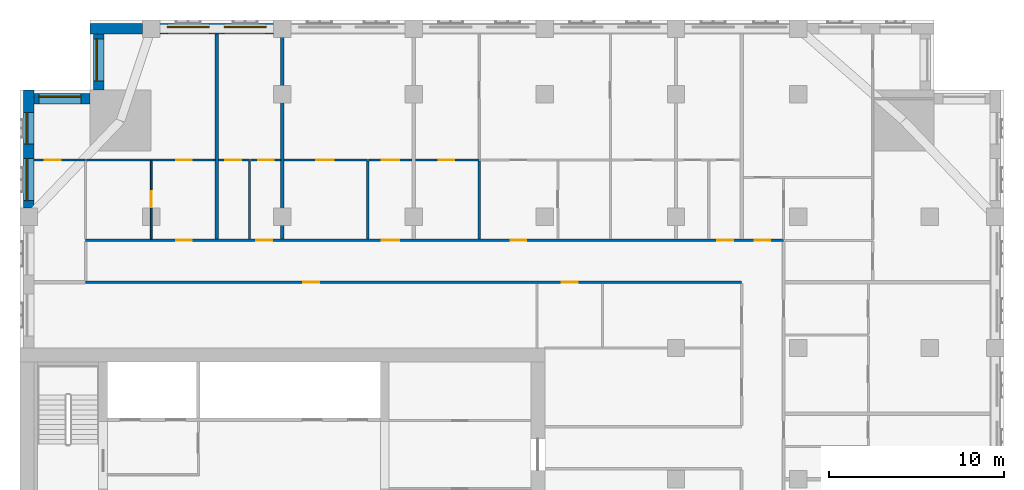
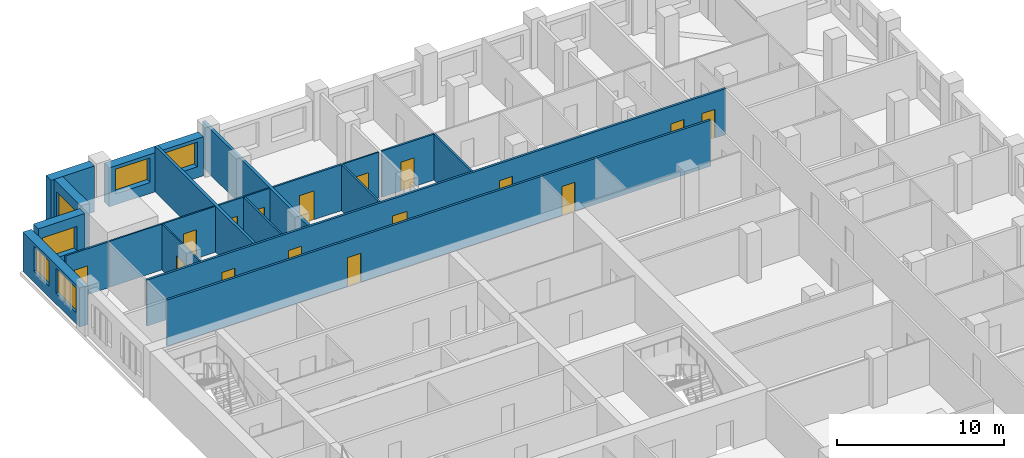
# One storey, part 9 of 14: 20 walls, 16 doors, 6 windows, 22 openings.
"""IFC4 building model written with IfcOpenShell, lengths in metres."""

from ifc_helpers import new_model, si_unit, direction, frame, frame_2d, origin, place, context, subcontext, project, spatial, rectangle, extrude, material, layer, layer_set, type_object, element, fill, save


model = new_model("IFC4")

# Units and contexts
model_context = context("Model", 3, precision=1e-05, world=origin(), true_north=direction((0.0, 1.0)))
body_context = subcontext(model_context, "Body", "Model", "MODEL_VIEW")
ifc_project = project(units=[si_unit("LENGTHUNIT", "METRE"), si_unit("AREAUNIT", "SQUARE_METRE"), si_unit("VOLUMEUNIT", "CUBIC_METRE"), si_unit("PLANEANGLEUNIT", "RADIAN"), si_unit("MASSUNIT", "GRAM", prefix="KILO")], contexts=[model_context])

# Site, building, storey
site_placement = place(None, origin())
site = spatial("IfcSite", under=ifc_project, at=site_placement, CompositionType="ELEMENT")
building_placement = place(site_placement, origin())
building = spatial("IfcBuilding", under=site, at=building_placement, Name="Tamorin Gate", CompositionType="ELEMENT")
storey_placement = place(building_placement, frame((0.0, 0.0, 141.0)))
storey = spatial("IfcBuildingStorey", under=building, at=storey_placement, Name="L34", CompositionType="ELEMENT", Elevation=141.0)

# Wall, openings, windows
ifc_material_1 = material(Name="Precast concrete C40/50", Category="concrete")
ifc_layer_1 = layer(ifc_material_1, 0.60009765625)
ifc_layer_set_1 = layer_set([ifc_layer_1], Name="Precast concrete C40/50")
wall_type_1 = type_object("IfcWallType", Name="Board-marked concrete facade panel 600", PredefinedType="SOLIDWALL", material=ifc_layer_set_1)
wall_1_placement = place(storey_placement, frame((44.5, 100.75, 0.0), z_axis=(0.0, 0.0, 1.0), x_axis=(-1.0, 0.0, 0.0)))
wall_1 = element("IfcWall", 1, at=wall_1_placement, inside=storey, type_object=wall_type_1, Name="Facade panel", PredefinedType="SOLIDWALL", context=body_context, shape_type="SweptSolid", body=[
    extrude(rectangle(XDim=6.5, YDim=0.60009765625, at=frame_2d((3.25, 0.0))), origin(), (0.0, 0.0, 1.0), 2.85009765625),
])
opening_1_placement = place(wall_1_placement, frame((3.675048828125, 0.0, 0.800048828125)))
opening_1 = element("IfcOpeningElement", 2, at=opening_1_placement, cuts=wall_1, Name="Opening WN1", PredefinedType="OPENING", context=body_context, shape_type="SweptSolid", body=[
    extrude(rectangle(XDim=2.39990234375, YDim=1.800048828125, at=frame_2d((1.199951171875, 0.89990234375))), frame((0.0, 0.31005859375, 0.0), z_axis=(0.0, -1.0, 0.0), x_axis=(1.0, 0.0, 0.0)), (0.0, 0.0, 1.0), 0.6201171875),
])
opening_2_placement = place(wall_1_placement, frame((0.425048828125, 0.0, 0.800048828125)))
opening_2 = element("IfcOpeningElement", 3, at=opening_2_placement, cuts=wall_1, Name="Opening WN1", PredefinedType="OPENING", context=body_context, shape_type="SweptSolid", body=[
    extrude(rectangle(XDim=2.39990234375, YDim=1.800048828125, at=frame_2d((1.199951171875, 0.89990234375))), frame((0.0, 0.31005859375, 0.0), z_axis=(0.0, -1.0, 0.0), x_axis=(1.0, 0.0, 0.0)), (0.0, 0.0, 1.0), 0.6201171875),
])
ifc_material_2 = material(Name="Clear glass in aluminium frame", Category="aluminium")
window_type_1 = type_object("IfcWindowType", Name="Deep-set window 2400x1800", PartitioningType="SINGLE_PANEL", PredefinedType="WINDOW", material=ifc_material_2)
window_1_placement = place(opening_1_placement, origin())
window_1 = element("IfcWindow", 4, at=window_1_placement, inside=storey, type_object=window_type_1, Name="Deep-set window", OverallHeight=1.800048828125, OverallWidth=2.39990234375, PartitioningType="SINGLE_PANEL", PredefinedType="WINDOW", context=body_context, shape_type="SweptSolid", body=[
    extrude(rectangle(XDim=2.39990234375, YDim=1.800048828125, at=frame_2d((1.199951171875, 0.89990234375))), frame((0.0, -0.070068359375, 0.0), z_axis=(0.0, -1.0, 0.0), x_axis=(1.0, 0.0, 0.0)), (0.0, 0.0, 1.0), 0.06005859375),
])
fill(opening_1, window_1)
window_2_placement = place(opening_2_placement, origin())
window_2 = element("IfcWindow", 5, at=window_2_placement, inside=storey, type_object=window_type_1, Name="Deep-set window", OverallHeight=1.800048828125, OverallWidth=2.39990234375, PartitioningType="SINGLE_PANEL", PredefinedType="WINDOW", context=body_context, shape_type="SweptSolid", body=[
    extrude(rectangle(XDim=2.39990234375, YDim=1.800048828125, at=frame_2d((1.199951171875, 0.89990234375))), frame((0.0, -0.070068359375, 0.0), z_axis=(0.0, -1.0, 0.0), x_axis=(1.0, 0.0, 0.0)), (0.0, 0.0, 1.0), 0.06005859375),
])
fill(opening_2, window_2)

# Wall
wall_2_placement = place(storey_placement, frame((37.0, 100.75, 0.0), z_axis=(0.0, 0.0, 1.0), x_axis=(-1.0, 0.0, 0.0)))
element("IfcWall", 6, at=wall_2_placement, inside=storey, type_object=wall_type_1, Name="Facade panel", PredefinedType="SOLIDWALL", context=body_context, shape_type="SweptSolid", body=[
    extrude(rectangle(XDim=3.0, YDim=0.60009765625, at=frame_2d((1.5, 0.0))), origin(), (0.0, 0.0, 1.0), 3.35009765625),
])

# Wall, opening, window
wall_3_placement = place(storey_placement, frame((34.5, 100.449951171875, 0.0), z_axis=(0.0, 0.0, 1.0), x_axis=(0.0, -1.0, 0.0)))
wall_3 = element("IfcWall", 7, at=wall_3_placement, inside=storey, type_object=wall_type_1, Name="Facade panel", PredefinedType="SOLIDWALL", context=body_context, shape_type="SweptSolid", body=[
    extrude(rectangle(XDim=3.199951171875, YDim=0.60009765625, at=frame_2d((1.60009765625, 0.0))), origin(), (0.0, 0.0, 1.0), 3.35009765625),
])
opening_3_placement = place(wall_3_placement, frame((0.27490234375, 0.0, 0.800048828125)))
opening_3 = element("IfcOpeningElement", 8, at=opening_3_placement, cuts=wall_3, Name="Opening WN1", PredefinedType="OPENING", context=body_context, shape_type="SweptSolid", body=[
    extrude(rectangle(XDim=2.39990234375, YDim=1.800048828125, at=frame_2d((1.199951171875, 0.89990234375))), frame((0.0, 0.31005859375, 0.0), z_axis=(0.0, -1.0, 0.0), x_axis=(1.0, 0.0, 0.0)), (0.0, 0.0, 1.0), 0.6201171875),
])
window_3_placement = place(opening_3_placement, origin())
window_3 = element("IfcWindow", 9, at=window_3_placement, inside=storey, type_object=window_type_1, Name="Deep-set window", OverallHeight=1.800048828125, OverallWidth=2.39990234375, PartitioningType="SINGLE_PANEL", PredefinedType="WINDOW", context=body_context, shape_type="SweptSolid", body=[
    extrude(rectangle(XDim=2.39990234375, YDim=1.800048828125, at=frame_2d((1.199951171875, 0.89990234375))), frame((0.0, -0.070068359375, 0.0), z_axis=(0.0, -1.0, 0.0), x_axis=(1.0, 0.0, 0.0)), (0.0, 0.0, 1.0), 0.06005859375),
])
fill(opening_3, window_3)

wall_4_placement = place(storey_placement, frame((34.0, 96.75, 0.0), z_axis=(0.0, 0.0, 1.0), x_axis=(-1.0, 0.0, 0.0)))
wall_4 = element("IfcWall", 10, at=wall_4_placement, inside=storey, type_object=wall_type_1, Name="Facade panel", PredefinedType="SOLIDWALL", context=body_context, shape_type="SweptSolid", body=[
    extrude(rectangle(XDim=3.199951171875, YDim=0.60009765625, at=frame_2d((1.60009765625, 0.0))), origin(), (0.0, 0.0, 1.0), 3.35009765625),
])
opening_4_placement = place(wall_4_placement, frame((0.52490234375, 0.0, 0.800048828125)))
opening_4 = element("IfcOpeningElement", 11, at=opening_4_placement, cuts=wall_4, Name="Opening WN1", PredefinedType="OPENING", context=body_context, shape_type="SweptSolid", body=[
    extrude(rectangle(XDim=2.39990234375, YDim=1.800048828125, at=frame_2d((1.199951171875, 0.89990234375))), frame((0.0, 0.31005859375, 0.0), z_axis=(0.0, -1.0, 0.0), x_axis=(1.0, 0.0, 0.0)), (0.0, 0.0, 1.0), 0.6201171875),
])
window_4_placement = place(opening_4_placement, origin())
window_4 = element("IfcWindow", 12, at=window_4_placement, inside=storey, type_object=window_type_1, Name="Deep-set window", OverallHeight=1.800048828125, OverallWidth=2.39990234375, PartitioningType="SINGLE_PANEL", PredefinedType="WINDOW", context=body_context, shape_type="SweptSolid", body=[
    extrude(rectangle(XDim=2.39990234375, YDim=1.800048828125, at=frame_2d((1.199951171875, 0.89990234375))), frame((0.0, -0.070068359375, 0.0), z_axis=(0.0, -1.0, 0.0), x_axis=(1.0, 0.0, 0.0)), (0.0, 0.0, 1.0), 0.06005859375),
])
fill(opening_4, window_4)

# Wall, openings, windows
wall_5_placement = place(storey_placement, frame((30.5, 97.25, 0.0), z_axis=(0.0, 0.0, 1.0), x_axis=(0.0, -1.0, 0.0)))
wall_5 = element("IfcWall", 13, at=wall_5_placement, inside=storey, type_object=wall_type_1, Name="Facade panel", PredefinedType="SOLIDWALL", context=body_context, shape_type="SweptSolid", body=[
    extrude(rectangle(XDim=6.75, YDim=0.60009765625, at=frame_2d((3.375, 0.0))), origin(), (0.0, 0.0, 1.0), 2.85009765625),
])
opening_5_placement = place(wall_5_placement, frame((3.925048828125, 0.0, 0.800048828125)))
opening_5 = element("IfcOpeningElement", 14, at=opening_5_placement, cuts=wall_5, Name="Opening WN1", PredefinedType="OPENING", context=body_context, shape_type="SweptSolid", body=[
    extrude(rectangle(XDim=2.39990234375, YDim=1.800048828125, at=frame_2d((1.199951171875, 0.89990234375))), frame((0.0, 0.31005859375, 0.0), z_axis=(0.0, -1.0, 0.0), x_axis=(1.0, 0.0, 0.0)), (0.0, 0.0, 1.0), 0.6201171875),
])
opening_6_placement = place(wall_5_placement, frame((1.300048828125, 0.0, 0.800048828125)))
opening_6 = element("IfcOpeningElement", 15, at=opening_6_placement, cuts=wall_5, Name="Opening WN2", PredefinedType="OPENING", context=body_context, shape_type="SweptSolid", body=[
    extrude(rectangle(XDim=1.800048828125, YDim=1.800048828125, at=frame_2d((0.89990234375, 0.89990234375))), frame((0.0, 0.31005859375, 0.0), z_axis=(0.0, -1.0, 0.0), x_axis=(1.0, 0.0, 0.0)), (0.0, 0.0, 1.0), 0.6201171875),
])
window_type_2 = type_object("IfcWindowType", Name="Deep-set window 1800x1800", PartitioningType="SINGLE_PANEL", PredefinedType="WINDOW", material=ifc_material_2)
window_5_placement = place(opening_6_placement, origin())
window_5 = element("IfcWindow", 16, at=window_5_placement, inside=storey, type_object=window_type_2, Name="Deep-set window", OverallHeight=1.800048828125, OverallWidth=1.800048828125, PartitioningType="SINGLE_PANEL", PredefinedType="WINDOW", context=body_context, shape_type="SweptSolid", body=[
    extrude(rectangle(XDim=1.800048828125, YDim=1.800048828125, at=frame_2d((0.89990234375, 0.89990234375))), frame((0.0, -0.070068359375, 0.0), z_axis=(0.0, -1.0, 0.0), x_axis=(1.0, 0.0, 0.0)), (0.0, 0.0, 1.0), 0.06005859375),
])
fill(opening_6, window_5)
window_6_placement = place(opening_5_placement, origin())
window_6 = element("IfcWindow", 17, at=window_6_placement, inside=storey, type_object=window_type_1, Name="Deep-set window", OverallHeight=1.800048828125, OverallWidth=2.39990234375, PartitioningType="SINGLE_PANEL", PredefinedType="WINDOW", context=body_context, shape_type="SweptSolid", body=[
    extrude(rectangle(XDim=2.39990234375, YDim=1.800048828125, at=frame_2d((1.199951171875, 0.89990234375))), frame((0.0, -0.070068359375, 0.0), z_axis=(0.0, -1.0, 0.0), x_axis=(1.0, 0.0, 0.0)), (0.0, 0.0, 1.0), 0.06005859375),
])
fill(opening_5, window_6)

# Wall, openings, doors
ifc_material_3 = material(Name="Gypsum board partition")
ifc_layer_2 = layer(ifc_material_3, 0.14990234375)
ifc_layer_set_2 = layer_set([ifc_layer_2], Name="Corridor wall 150")
wall_type_2 = type_object("IfcWallType", Name="Corridor wall 150", PredefinedType="PARTITIONING", material=ifc_layer_set_2)
wall_6_placement = place(storey_placement, frame((33.75, 86.25, 0.0), z_axis=(0.0, 0.0, 1.0), x_axis=(1.0, 0.0, 0.0)))
wall_6 = element("IfcWall", 18, at=wall_6_placement, inside=storey, type_object=wall_type_2, Name="Corridor wall 150", PredefinedType="PARTITIONING", context=body_context, shape_type="SweptSolid", body=[
    extrude(rectangle(XDim=37.5, YDim=0.14990234375, at=frame_2d((18.75, 0.0))), origin(), (0.0, 0.0, 1.0), 3.35009765625),
])
opening_7_placement = place(wall_6_placement, frame((12.449951171875, 0.0, 0.0)))
opening_7 = element("IfcOpeningElement", 19, at=opening_7_placement, cuts=wall_6, Name="Opening DS4075", PredefinedType="OPENING", context=body_context, shape_type="SweptSolid", body=[
    extrude(rectangle(XDim=0.89990234375, YDim=2.10009765625, at=frame_2d((0.449951171875, 1.050048828125))), frame((0.0, 0.0849609375, 0.0), z_axis=(0.0, -1.0, 0.0), x_axis=(1.0, 0.0, 0.0)), (0.0, 0.0, 1.0), 0.169921875),
])
opening_8_placement = place(wall_6_placement, frame((27.22509765625, 0.0, 0.0)))
opening_8 = element("IfcOpeningElement", 20, at=opening_8_placement, cuts=wall_6, Name="Opening DS4076", PredefinedType="OPENING", context=body_context, shape_type="SweptSolid", body=[
    extrude(rectangle(XDim=0.89990234375, YDim=2.10009765625, at=frame_2d((0.449951171875, 1.050048828125))), frame((0.0, 0.0849609375, 0.0), z_axis=(0.0, -1.0, 0.0), x_axis=(1.0, 0.0, 0.0)), (0.0, 0.0, 1.0), 0.169921875),
])
ifc_material_4 = material(Name="Timber door leaf", Category="wood")
door_type_1 = type_object("IfcDoorType", Name="Door 900 x 2100 FD30S", OperationType="NOTDEFINED", PredefinedType="DOOR", material=ifc_material_4)
door_1_placement = place(opening_7_placement, origin())
door_1 = element("IfcDoor", 21, at=door_1_placement, inside=storey, type_object=door_type_1, Name="Door DS4075", OperationType="SINGLE_SWING_RIGHT", OverallHeight=2.10009765625, OverallWidth=0.89990234375, PredefinedType="DOOR", context=body_context, shape_type="SweptSolid", body=[
    extrude(rectangle(XDim=0.89990234375, YDim=2.10009765625, at=frame_2d((0.449951171875, 1.050048828125))), frame((0.0, 0.02490234375, 0.0), z_axis=(0.0, -1.0, 0.0), x_axis=(1.0, 0.0, 0.0)), (0.0, 0.0, 1.0), 0.050048828125),
])
fill(opening_7, door_1)
door_2_placement = place(opening_8_placement, origin())
door_2 = element("IfcDoor", 22, at=door_2_placement, inside=storey, type_object=door_type_1, Name="Door DS4076", OperationType="SINGLE_SWING_RIGHT", OverallHeight=2.10009765625, OverallWidth=0.89990234375, PredefinedType="DOOR", context=body_context, shape_type="SweptSolid", body=[
    extrude(rectangle(XDim=0.89990234375, YDim=2.10009765625, at=frame_2d((0.449951171875, 1.050048828125))), frame((0.0, 0.02490234375, 0.0), z_axis=(0.0, -1.0, 0.0), x_axis=(1.0, 0.0, 0.0)), (0.0, 0.0, 1.0), 0.050048828125),
])
fill(opening_8, door_2)

wall_7_placement = place(storey_placement, frame((33.75, 88.64990234375, 0.0), z_axis=(0.0, 0.0, 1.0), x_axis=(1.0, 0.0, 0.0)))
wall_7 = element("IfcWall", 23, at=wall_7_placement, inside=storey, type_object=wall_type_2, Name="Corridor wall 150", PredefinedType="PARTITIONING", context=body_context, shape_type="SweptSolid", body=[
    extrude(rectangle(XDim=39.89990234375, YDim=0.14990234375, at=frame_2d((19.949951171875, 0.0))), origin(), (0.0, 0.0, 1.0), 3.35009765625),
])
opening_9_placement = place(wall_7_placement, frame((5.175048828125, 0.0, 0.0)))
opening_9 = element("IfcOpeningElement", 24, at=opening_9_placement, cuts=wall_7, Name="Opening DS4025", PredefinedType="OPENING", context=body_context, shape_type="SweptSolid", body=[
    extrude(rectangle(XDim=0.89990234375, YDim=2.10009765625, at=frame_2d((0.449951171875, 1.050048828125))), frame((0.0, 0.0849609375, 0.0), z_axis=(0.0, -1.0, 0.0), x_axis=(1.0, 0.0, 0.0)), (0.0, 0.0, 1.0), 0.169921875),
])
opening_10_placement = place(wall_7_placement, frame((9.762451171875, 0.0, 0.0)))
opening_10 = element("IfcOpeningElement", 25, at=opening_10_placement, cuts=wall_7, Name="Opening DS4028", PredefinedType="OPENING", context=body_context, shape_type="SweptSolid", body=[
    extrude(rectangle(XDim=0.89990234375, YDim=2.10009765625, at=frame_2d((0.449951171875, 1.050048828125))), frame((0.0, 0.0849609375, 0.0), z_axis=(0.0, -1.0, 0.0), x_axis=(1.0, 0.0, 0.0)), (0.0, 0.0, 1.0), 0.169921875),
])
opening_11_placement = place(wall_7_placement, frame((16.9375, 0.0, 0.0)))
opening_11 = element("IfcOpeningElement", 26, at=opening_11_placement, cuts=wall_7, Name="Opening DS4031", PredefinedType="OPENING", context=body_context, shape_type="SweptSolid", body=[
    extrude(rectangle(XDim=1.0, YDim=2.10009765625, at=frame_2d((0.5, 1.050048828125))), frame((0.0, 0.0849609375, 0.0), z_axis=(0.0, -1.0, 0.0), x_axis=(1.0, 0.0, 0.0)), (0.0, 0.0, 1.0), 0.169921875),
])
opening_12_placement = place(wall_7_placement, frame((24.300048828125, 0.0, 0.0)))
opening_12 = element("IfcOpeningElement", 27, at=opening_12_placement, cuts=wall_7, Name="Opening DS4034", PredefinedType="OPENING", context=body_context, shape_type="SweptSolid", body=[
    extrude(rectangle(XDim=0.89990234375, YDim=2.10009765625, at=frame_2d((0.449951171875, 1.050048828125))), frame((0.0, 0.0849609375, 0.0), z_axis=(0.0, -1.0, 0.0), x_axis=(1.0, 0.0, 0.0)), (0.0, 0.0, 1.0), 0.169921875),
])
opening_13_placement = place(wall_7_placement, frame((36.112548828125, 0.0, 0.0)))
opening_13 = element("IfcOpeningElement", 28, at=opening_13_placement, cuts=wall_7, Name="Opening DS4041", PredefinedType="OPENING", context=body_context, shape_type="SweptSolid", body=[
    extrude(rectangle(XDim=0.89990234375, YDim=2.10009765625, at=frame_2d((0.449951171875, 1.050048828125))), frame((0.0, 0.0849609375, 0.0), z_axis=(0.0, -1.0, 0.0), x_axis=(1.0, 0.0, 0.0)), (0.0, 0.0, 1.0), 0.169921875),
])
opening_14_placement = place(wall_7_placement, frame((38.25, 0.0, 0.0)))
opening_14 = element("IfcOpeningElement", 29, at=opening_14_placement, cuts=wall_7, Name="Opening DS4065", PredefinedType="OPENING", context=body_context, shape_type="SweptSolid", body=[
    extrude(rectangle(XDim=0.89990234375, YDim=2.10009765625, at=frame_2d((0.449951171875, 1.050048828125))), frame((0.0, 0.0849609375, 0.0), z_axis=(0.0, -1.0, 0.0), x_axis=(1.0, 0.0, 0.0)), (0.0, 0.0, 1.0), 0.169921875),
])
door_type_2 = type_object("IfcDoorType", Name="Door 1000 x 2100 FD30S", OperationType="NOTDEFINED", PredefinedType="DOOR", material=ifc_material_4)
door_3_placement = place(opening_11_placement, origin())
door_3 = element("IfcDoor", 30, at=door_3_placement, inside=storey, type_object=door_type_2, Name="Door DS4031", OperationType="SINGLE_SWING_LEFT", OverallHeight=2.10009765625, OverallWidth=1.0, PredefinedType="DOOR", context=body_context, shape_type="SweptSolid", body=[
    extrude(rectangle(XDim=1.0, YDim=2.10009765625, at=frame_2d((0.5, 1.050048828125))), frame((0.0, 0.02490234375, 0.0), z_axis=(0.0, -1.0, 0.0), x_axis=(1.0, 0.0, 0.0)), (0.0, 0.0, 1.0), 0.050048828125),
])
fill(opening_11, door_3)
door_4_placement = place(opening_9_placement, origin())
door_4 = element("IfcDoor", 31, at=door_4_placement, inside=storey, type_object=door_type_1, Name="Door DS4025", OperationType="SINGLE_SWING_LEFT", OverallHeight=2.10009765625, OverallWidth=0.89990234375, PredefinedType="DOOR", context=body_context, shape_type="SweptSolid", body=[
    extrude(rectangle(XDim=0.89990234375, YDim=2.10009765625, at=frame_2d((0.449951171875, 1.050048828125))), frame((0.0, 0.02490234375, 0.0), z_axis=(0.0, -1.0, 0.0), x_axis=(1.0, 0.0, 0.0)), (0.0, 0.0, 1.0), 0.050048828125),
])
fill(opening_9, door_4)
door_5_placement = place(opening_10_placement, origin())
door_5 = element("IfcDoor", 32, at=door_5_placement, inside=storey, type_object=door_type_1, Name="Door DS4028", OperationType="SINGLE_SWING_LEFT", OverallHeight=2.10009765625, OverallWidth=0.89990234375, PredefinedType="DOOR", context=body_context, shape_type="SweptSolid", body=[
    extrude(rectangle(XDim=0.89990234375, YDim=2.10009765625, at=frame_2d((0.449951171875, 1.050048828125))), frame((0.0, 0.02490234375, 0.0), z_axis=(0.0, -1.0, 0.0), x_axis=(1.0, 0.0, 0.0)), (0.0, 0.0, 1.0), 0.050048828125),
])
fill(opening_10, door_5)
door_6_placement = place(opening_12_placement, origin())
door_6 = element("IfcDoor", 33, at=door_6_placement, inside=storey, type_object=door_type_1, Name="Door DS4034", OperationType="SINGLE_SWING_LEFT", OverallHeight=2.10009765625, OverallWidth=0.89990234375, PredefinedType="DOOR", context=body_context, shape_type="SweptSolid", body=[
    extrude(rectangle(XDim=0.89990234375, YDim=2.10009765625, at=frame_2d((0.449951171875, 1.050048828125))), frame((0.0, 0.02490234375, 0.0), z_axis=(0.0, -1.0, 0.0), x_axis=(1.0, 0.0, 0.0)), (0.0, 0.0, 1.0), 0.050048828125),
])
fill(opening_12, door_6)
door_7_placement = place(opening_13_placement, origin())
door_7 = element("IfcDoor", 34, at=door_7_placement, inside=storey, type_object=door_type_1, Name="Door DS4041", OperationType="SINGLE_SWING_LEFT", OverallHeight=2.10009765625, OverallWidth=0.89990234375, PredefinedType="DOOR", context=body_context, shape_type="SweptSolid", body=[
    extrude(rectangle(XDim=0.89990234375, YDim=2.10009765625, at=frame_2d((0.449951171875, 1.050048828125))), frame((0.0, 0.02490234375, 0.0), z_axis=(0.0, -1.0, 0.0), x_axis=(1.0, 0.0, 0.0)), (0.0, 0.0, 1.0), 0.050048828125),
])
fill(opening_13, door_7)
door_8_placement = place(opening_14_placement, origin())
door_8 = element("IfcDoor", 35, at=door_8_placement, inside=storey, type_object=door_type_1, Name="Door DS4065", OperationType="SINGLE_SWING_RIGHT", OverallHeight=2.10009765625, OverallWidth=0.89990234375, PredefinedType="DOOR", context=body_context, shape_type="SweptSolid", body=[
    extrude(rectangle(XDim=0.89990234375, YDim=2.10009765625, at=frame_2d((0.449951171875, 1.050048828125))), frame((0.0, 0.02490234375, 0.0), z_axis=(0.0, -1.0, 0.0), x_axis=(1.0, 0.0, 0.0)), (0.0, 0.0, 1.0), 0.050048828125),
])
fill(opening_14, door_8)

# Walls
ifc_layer_3 = layer(ifc_material_3, 0.199951171875)
ifc_layer_set_3 = layer_set([ifc_layer_3], Name="Demising wall 200")
wall_type_3 = type_object("IfcWallType", Name="Demising wall 200", PredefinedType="PARTITIONING", material=ifc_layer_set_3)
wall_8_placement = place(storey_placement, frame((41.25, 88.72509765625, 0.0), z_axis=(0.0, 0.0, 1.0), x_axis=(0.0, 1.0, 0.0)))
element("IfcWall", 36, at=wall_8_placement, inside=storey, type_object=wall_type_3, Name="Demising wall 200", PredefinedType="PARTITIONING", context=body_context, shape_type="SweptSolid", body=[
    extrude(rectangle(XDim=11.71484375, YDim=0.199951171875, at=frame_2d((5.857421875, 0.0))), origin(), (0.0, 0.0, 1.0), 3.35009765625),
])
wall_9_placement = place(storey_placement, frame((45.0, 88.72509765625, 0.0), z_axis=(0.0, 0.0, 1.0), x_axis=(0.0, 1.0, 0.0)))
element("IfcWall", 37, at=wall_9_placement, inside=storey, type_object=wall_type_3, Name="Demising wall 200", PredefinedType="PARTITIONING", context=body_context, shape_type="SweptSolid", body=[
    extrude(rectangle(XDim=12.52490234375, YDim=0.199951171875, at=frame_2d((6.262451171875, 0.0))), origin(), (0.0, 0.0, 1.0), 3.35009765625),
])

# Wall, opening, door
ifc_layer_4 = layer(ifc_material_3, 0.10009765625)
ifc_layer_set_4 = layer_set([ifc_layer_4], Name="Room partition 100")
wall_type_4 = type_object("IfcWallType", Name="Room partition 100", PredefinedType="PARTITIONING", material=ifc_layer_set_4)
wall_10_placement = place(storey_placement, frame((33.8125, 93.25, 0.0), z_axis=(0.0, 0.0, 1.0), x_axis=(1.0, 0.0, 0.0)))
wall_10 = element("IfcWall", 38, at=wall_10_placement, inside=storey, type_object=wall_type_4, Name="Room partition 100", PredefinedType="PARTITIONING", context=body_context, shape_type="SweptSolid", body=[
    extrude(rectangle(XDim=7.33740234375, YDim=0.10009765625, at=frame_2d((3.668701171875, 0.0))), origin(), (0.0, 0.0, 1.0), 3.35009765625),
])
opening_15_placement = place(wall_10_placement, frame((5.112548828125, 0.0, 0.0)))
opening_15 = element("IfcOpeningElement", 39, at=opening_15_placement, cuts=wall_10, Name="Opening DS4026", PredefinedType="OPENING", context=body_context, shape_type="SweptSolid", body=[
    extrude(rectangle(XDim=0.89990234375, YDim=2.10009765625, at=frame_2d((0.449951171875, 1.050048828125))), frame((0.0, 0.06005859375, 0.0), z_axis=(0.0, -1.0, 0.0), x_axis=(1.0, 0.0, 0.0)), (0.0, 0.0, 1.0), 0.1201171875),
])
door_type_3 = type_object("IfcDoorType", Name="Door 900 x 2100", OperationType="NOTDEFINED", PredefinedType="DOOR", material=ifc_material_4)
door_9_placement = place(opening_15_placement, origin())
door_9 = element("IfcDoor", 40, at=door_9_placement, inside=storey, type_object=door_type_3, Name="Door DS4026", OperationType="SINGLE_SWING_RIGHT", OverallHeight=2.10009765625, OverallWidth=0.89990234375, PredefinedType="DOOR", context=body_context, shape_type="SweptSolid", body=[
    extrude(rectangle(XDim=0.89990234375, YDim=2.10009765625, at=frame_2d((0.449951171875, 1.050048828125))), frame((0.0, 0.02490234375, 0.0), z_axis=(0.0, -1.0, 0.0), x_axis=(1.0, 0.0, 0.0)), (0.0, 0.0, 1.0), 0.050048828125),
])
fill(opening_15, door_9)

wall_11_placement = place(storey_placement, frame((43.1875, 93.25, 0.0), z_axis=(0.0, 0.0, 1.0), x_axis=(1.0, 0.0, 0.0)))
wall_11 = element("IfcWall", 41, at=wall_11_placement, inside=storey, type_object=wall_type_4, Name="Room partition 100", PredefinedType="PARTITIONING", context=body_context, shape_type="SweptSolid", body=[
    extrude(rectangle(XDim=1.71240234375, YDim=0.10009765625, at=frame_2d((0.856201171875, 0.0))), origin(), (0.0, 0.0, 1.0), 3.35009765625),
])
opening_16_placement = place(wall_11_placement, frame((0.425048828125, 0.0, 0.0)))
opening_16 = element("IfcOpeningElement", 42, at=opening_16_placement, cuts=wall_11, Name="Opening DS4029", PredefinedType="OPENING", context=body_context, shape_type="SweptSolid", body=[
    extrude(rectangle(XDim=0.89990234375, YDim=2.10009765625, at=frame_2d((0.449951171875, 1.050048828125))), frame((0.0, 0.06005859375, 0.0), z_axis=(0.0, -1.0, 0.0), x_axis=(1.0, 0.0, 0.0)), (0.0, 0.0, 1.0), 0.1201171875),
])
door_10_placement = place(opening_16_placement, origin())
door_10 = element("IfcDoor", 43, at=door_10_placement, inside=storey, type_object=door_type_3, Name="Door DS4029", OperationType="SINGLE_SWING_RIGHT", OverallHeight=2.10009765625, OverallWidth=0.89990234375, PredefinedType="DOOR", context=body_context, shape_type="SweptSolid", body=[
    extrude(rectangle(XDim=0.89990234375, YDim=2.10009765625, at=frame_2d((0.449951171875, 1.050048828125))), frame((0.0, 0.02490234375, 0.0), z_axis=(0.0, -1.0, 0.0), x_axis=(1.0, 0.0, 0.0)), (0.0, 0.0, 1.0), 0.050048828125),
])
fill(opening_16, door_10)

wall_12_placement = place(storey_placement, frame((49.9375, 93.25, 0.0), z_axis=(0.0, 0.0, 1.0), x_axis=(1.0, 0.0, 0.0)))
wall_12 = element("IfcWall", 44, at=wall_12_placement, inside=storey, type_object=wall_type_4, Name="Room partition 100", PredefinedType="PARTITIONING", context=body_context, shape_type="SweptSolid", body=[
    extrude(rectangle(XDim=2.46240234375, YDim=0.10009765625, at=frame_2d((1.231201171875, 0.0))), origin(), (0.0, 0.0, 1.0), 3.35009765625),
])
opening_17_placement = place(wall_12_placement, frame((0.75, 0.0, 0.0)))
opening_17 = element("IfcOpeningElement", 45, at=opening_17_placement, cuts=wall_12, Name="Opening DS4032", PredefinedType="OPENING", context=body_context, shape_type="SweptSolid", body=[
    extrude(rectangle(XDim=1.0, YDim=2.10009765625, at=frame_2d((0.5, 1.050048828125))), frame((0.0, 0.06005859375, 0.0), z_axis=(0.0, -1.0, 0.0), x_axis=(1.0, 0.0, 0.0)), (0.0, 0.0, 1.0), 0.1201171875),
])
door_type_4 = type_object("IfcDoorType", Name="Door 1000 x 2100", OperationType="NOTDEFINED", PredefinedType="DOOR", material=ifc_material_4)
door_11_placement = place(opening_17_placement, origin())
door_11 = element("IfcDoor", 46, at=door_11_placement, inside=storey, type_object=door_type_4, Name="Door DS4032", OperationType="SINGLE_SWING_RIGHT", OverallHeight=2.10009765625, OverallWidth=1.0, PredefinedType="DOOR", context=body_context, shape_type="SweptSolid", body=[
    extrude(rectangle(XDim=1.0, YDim=2.10009765625, at=frame_2d((0.5, 1.050048828125))), frame((0.0, 0.02490234375, 0.0), z_axis=(0.0, -1.0, 0.0), x_axis=(1.0, 0.0, 0.0)), (0.0, 0.0, 1.0), 0.050048828125),
])
fill(opening_17, door_11)

wall_13_placement = place(storey_placement, frame((37.5, 88.72509765625, 0.0), z_axis=(0.0, 0.0, 1.0), x_axis=(0.0, 1.0, 0.0)))
wall_13 = element("IfcWall", 47, at=wall_13_placement, inside=storey, type_object=wall_type_4, Name="Room partition 100", PredefinedType="PARTITIONING", context=body_context, shape_type="SweptSolid", body=[
    extrude(rectangle(XDim=4.474853515625, YDim=0.10009765625, at=frame_2d((2.2373046875, 0.0))), origin(), (0.0, 0.0, 1.0), 3.35009765625),
])
opening_18_placement = place(wall_13_placement, frame((1.824951171875, 0.0, 0.0)))
opening_18 = element("IfcOpeningElement", 48, at=opening_18_placement, cuts=wall_13, Name="Opening DS4024", PredefinedType="OPENING", context=body_context, shape_type="SweptSolid", body=[
    extrude(rectangle(XDim=0.89990234375, YDim=2.10009765625, at=frame_2d((0.449951171875, 1.050048828125))), frame((0.0, 0.06005859375, 0.0), z_axis=(0.0, -1.0, 0.0), x_axis=(1.0, 0.0, 0.0)), (0.0, 0.0, 1.0), 0.1201171875),
])
door_12_placement = place(opening_18_placement, origin())
door_12 = element("IfcDoor", 49, at=door_12_placement, inside=storey, type_object=door_type_3, Name="Door DS4024", OperationType="SINGLE_SWING_RIGHT", OverallHeight=2.10009765625, OverallWidth=0.89990234375, PredefinedType="DOOR", context=body_context, shape_type="SweptSolid", body=[
    extrude(rectangle(XDim=0.89990234375, YDim=2.10009765625, at=frame_2d((0.449951171875, 1.050048828125))), frame((0.0, 0.02490234375, 0.0), z_axis=(0.0, -1.0, 0.0), x_axis=(1.0, 0.0, 0.0)), (0.0, 0.0, 1.0), 0.050048828125),
])
fill(opening_18, door_12)

ifc_layer_5 = layer(ifc_material_3, 0.125)
ifc_layer_set_5 = layer_set([ifc_layer_5], Name="Wet wall 125")
wall_type_5 = type_object("IfcWallType", Name="Wet wall 125", PredefinedType="PARTITIONING", material=ifc_layer_set_5)
wall_14_placement = place(storey_placement, frame((30.81005859375, 93.25, 0.0), z_axis=(0.0, 0.0, 1.0), x_axis=(1.0, 0.0, 0.0)))
wall_14 = element("IfcWall", 50, at=wall_14_placement, inside=storey, type_object=wall_type_5, Name="Wet wall 125", PredefinedType="PARTITIONING", context=body_context, shape_type="SweptSolid", body=[
    extrude(rectangle(XDim=2.93994140625, YDim=0.125, at=frame_2d((1.469970703125, 0.0))), origin(), (0.0, 0.0, 1.0), 3.35009765625),
])
opening_19_placement = place(wall_14_placement, frame((0.614990234375, 0.0, 0.0)))
opening_19 = element("IfcOpeningElement", 51, at=opening_19_placement, cuts=wall_14, Name="Opening DS4023", PredefinedType="OPENING", context=body_context, shape_type="SweptSolid", body=[
    extrude(rectangle(XDim=0.89990234375, YDim=2.10009765625, at=frame_2d((0.449951171875, 1.050048828125))), frame((0.0, 0.072509765625, 0.0), z_axis=(0.0, -1.0, 0.0), x_axis=(1.0, 0.0, 0.0)), (0.0, 0.0, 1.0), 0.14501953125),
])
door_13_placement = place(opening_19_placement, origin())
door_13 = element("IfcDoor", 52, at=door_13_placement, inside=storey, type_object=door_type_3, Name="Door DS4023", OperationType="SINGLE_SWING_RIGHT", OverallHeight=2.10009765625, OverallWidth=0.89990234375, PredefinedType="DOOR", context=body_context, shape_type="SweptSolid", body=[
    extrude(rectangle(XDim=0.89990234375, YDim=2.10009765625, at=frame_2d((0.449951171875, 1.050048828125))), frame((0.0, 0.02490234375, 0.0), z_axis=(0.0, -1.0, 0.0), x_axis=(1.0, 0.0, 0.0)), (0.0, 0.0, 1.0), 0.050048828125),
])
fill(opening_19, door_13)

wall_15_placement = place(storey_placement, frame((41.35009765625, 93.25, 0.0), z_axis=(0.0, 0.0, 1.0), x_axis=(1.0, 0.0, 0.0)))
wall_15 = element("IfcWall", 53, at=wall_15_placement, inside=storey, type_object=wall_type_5, Name="Wet wall 125", PredefinedType="PARTITIONING", context=body_context, shape_type="SweptSolid", body=[
    extrude(rectangle(XDim=1.77490234375, YDim=0.125, at=frame_2d((0.887451171875, 0.0))), origin(), (0.0, 0.0, 1.0), 3.35009765625),
])
opening_20_placement = place(wall_15_placement, frame((0.387451171875, 0.0, 0.0)))
opening_20 = element("IfcOpeningElement", 54, at=opening_20_placement, cuts=wall_15, Name="Opening DS4027", PredefinedType="OPENING", context=body_context, shape_type="SweptSolid", body=[
    extrude(rectangle(XDim=0.89990234375, YDim=2.10009765625, at=frame_2d((0.449951171875, 1.050048828125))), frame((0.0, 0.072509765625, 0.0), z_axis=(0.0, -1.0, 0.0), x_axis=(1.0, 0.0, 0.0)), (0.0, 0.0, 1.0), 0.14501953125),
])
door_14_placement = place(opening_20_placement, origin())
door_14 = element("IfcDoor", 55, at=door_14_placement, inside=storey, type_object=door_type_3, Name="Door DS4027", OperationType="SINGLE_SWING_RIGHT", OverallHeight=2.10009765625, OverallWidth=0.89990234375, PredefinedType="DOOR", context=body_context, shape_type="SweptSolid", body=[
    extrude(rectangle(XDim=0.89990234375, YDim=2.10009765625, at=frame_2d((0.449951171875, 1.050048828125))), frame((0.0, 0.02490234375, 0.0), z_axis=(0.0, -1.0, 0.0), x_axis=(1.0, 0.0, 0.0)), (0.0, 0.0, 1.0), 0.050048828125),
])
fill(opening_20, door_14)

wall_16_placement = place(storey_placement, frame((45.10009765625, 93.25, 0.0), z_axis=(0.0, 0.0, 1.0), x_axis=(1.0, 0.0, 0.0)))
wall_16 = element("IfcWall", 56, at=wall_16_placement, inside=storey, type_object=wall_type_5, Name="Wet wall 125", PredefinedType="PARTITIONING", context=body_context, shape_type="SweptSolid", body=[
    extrude(rectangle(XDim=4.77490234375, YDim=0.125, at=frame_2d((2.387451171875, 0.0))), origin(), (0.0, 0.0, 1.0), 3.35009765625),
])
opening_21_placement = place(wall_16_placement, frame((1.83740234375, 0.0, 0.0)))
opening_21 = element("IfcOpeningElement", 57, at=opening_21_placement, cuts=wall_16, Name="Opening DS4030", PredefinedType="OPENING", context=body_context, shape_type="SweptSolid", body=[
    extrude(rectangle(XDim=1.0, YDim=2.10009765625, at=frame_2d((0.5, 1.050048828125))), frame((0.0, 0.072509765625, 0.0), z_axis=(0.0, -1.0, 0.0), x_axis=(1.0, 0.0, 0.0)), (0.0, 0.0, 1.0), 0.14501953125),
])
door_15_placement = place(opening_21_placement, origin())
door_15 = element("IfcDoor", 58, at=door_15_placement, inside=storey, type_object=door_type_4, Name="Door DS4030", OperationType="SINGLE_SWING_RIGHT", OverallHeight=2.10009765625, OverallWidth=1.0, PredefinedType="DOOR", context=body_context, shape_type="SweptSolid", body=[
    extrude(rectangle(XDim=1.0, YDim=2.10009765625, at=frame_2d((0.5, 1.050048828125))), frame((0.0, 0.02490234375, 0.0), z_axis=(0.0, -1.0, 0.0), x_axis=(1.0, 0.0, 0.0)), (0.0, 0.0, 1.0), 0.050048828125),
])
fill(opening_21, door_15)

wall_17_placement = place(storey_placement, frame((52.60009765625, 93.25, 0.0), z_axis=(0.0, 0.0, 1.0), x_axis=(1.0, 0.0, 0.0)))
wall_17 = element("IfcWall", 59, at=wall_17_placement, inside=storey, type_object=wall_type_5, Name="Wet wall 125", PredefinedType="PARTITIONING", context=body_context, shape_type="SweptSolid", body=[
    extrude(rectangle(XDim=3.64990234375, YDim=0.125, at=frame_2d((1.824951171875, 0.0))), origin(), (0.0, 0.0, 1.0), 3.35009765625),
])
opening_22_placement = place(wall_17_placement, frame((1.324951171875, 0.0, 0.0)))
opening_22 = element("IfcOpeningElement", 60, at=opening_22_placement, cuts=wall_17, Name="Opening DS4033", PredefinedType="OPENING", context=body_context, shape_type="SweptSolid", body=[
    extrude(rectangle(XDim=0.89990234375, YDim=2.10009765625, at=frame_2d((0.449951171875, 1.050048828125))), frame((0.0, 0.072509765625, 0.0), z_axis=(0.0, -1.0, 0.0), x_axis=(1.0, 0.0, 0.0)), (0.0, 0.0, 1.0), 0.14501953125),
])
door_16_placement = place(opening_22_placement, origin())
door_16 = element("IfcDoor", 61, at=door_16_placement, inside=storey, type_object=door_type_3, Name="Door DS4033", OperationType="SINGLE_SWING_RIGHT", OverallHeight=2.10009765625, OverallWidth=0.89990234375, PredefinedType="DOOR", context=body_context, shape_type="SweptSolid", body=[
    extrude(rectangle(XDim=0.89990234375, YDim=2.10009765625, at=frame_2d((0.449951171875, 1.050048828125))), frame((0.0, 0.02490234375, 0.0), z_axis=(0.0, -1.0, 0.0), x_axis=(1.0, 0.0, 0.0)), (0.0, 0.0, 1.0), 0.050048828125),
])
fill(opening_22, door_16)

# Walls
for number, where, z_axis, x_axis, name in (
    (62, (43.125, 88.72509765625, 0.0), (0.0, 0.0, 1.0), (0.0, 1.0, 0.0), "Wet wall 125"),
    (63, (49.875, 88.72509765625, 0.0), (0.0, 0.0, 1.0), (0.0, 1.0, 0.0), "Wet wall 125"),
    (64, (56.25, 88.72509765625, 0.0), (0.0, 0.0, 1.0), (0.0, 1.0, 0.0), "Wet wall 125"),
):
    element("IfcWall", number, at=place(storey_placement, frame(where, z_axis=z_axis, x_axis=x_axis)), inside=storey, type_object=wall_type_5, Name=name, PredefinedType="PARTITIONING", context=body_context, shape_type="SweptSolid", body=[
        extrude(rectangle(XDim=4.46240234375, YDim=0.125, at=frame_2d((2.231201171875, 0.0))), origin(), (0.0, 0.0, 1.0), 3.35009765625),
    ])

save(model, "model.ifc")
